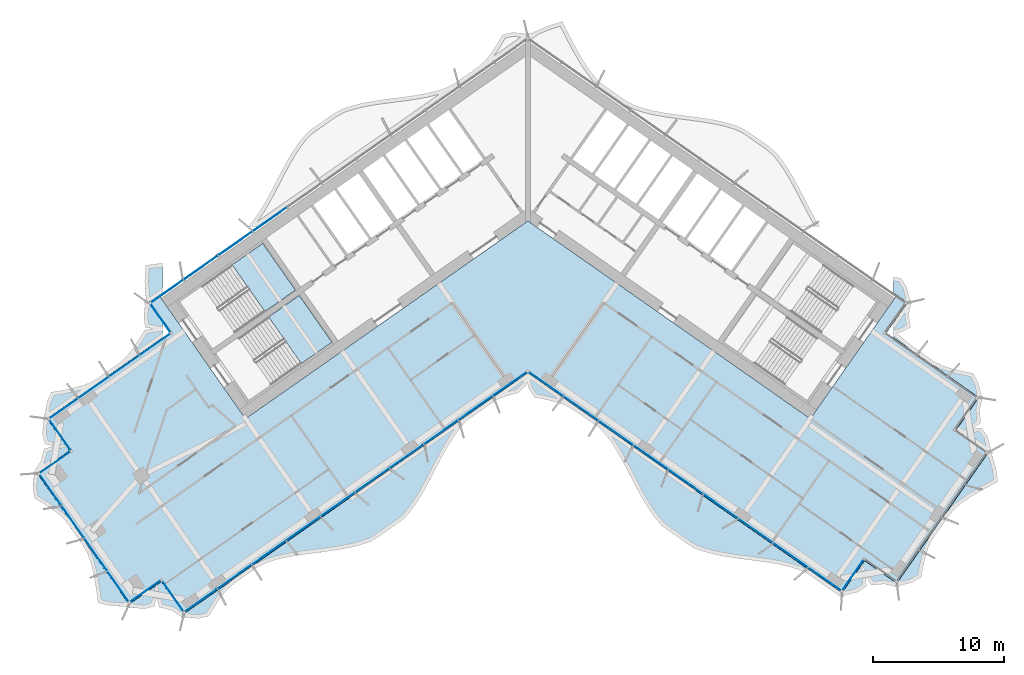
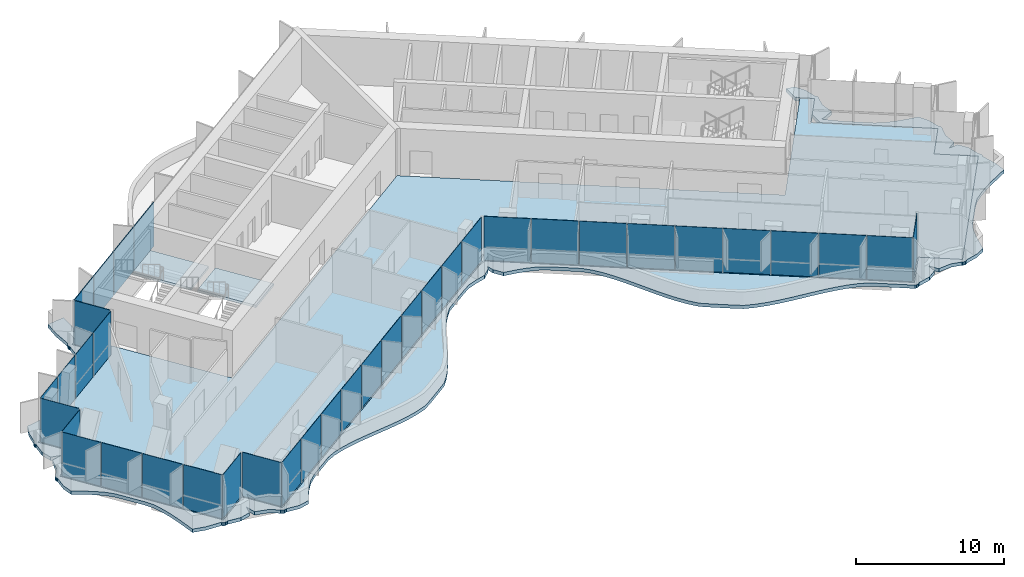
# One storey, part 12 of 23: 37 plates, 4 slabs, 4 elements without a shape of their own.
"""IFC4 building model written with IfcOpenShell, lengths in metres."""

from ifc_helpers import new_model, si_unit, direction, frame, origin, origin_2d, place, context, subcontext, project, spatial, polyline, rectangle, outline, extrude, material, layer, layer_set, type_object, element, aggregate, save


model = new_model("IFC4")

# Units and contexts
model_context = context("Model", 3, precision=1e-05, world=origin(), true_north=direction((0.0, 1.0)))
body_context = subcontext(model_context, "Body", "Model", "MODEL_VIEW")
ifc_project = project(units=[si_unit("LENGTHUNIT", "METRE"), si_unit("AREAUNIT", "SQUARE_METRE"), si_unit("VOLUMEUNIT", "CUBIC_METRE"), si_unit("PLANEANGLEUNIT", "RADIAN"), si_unit("MASSUNIT", "GRAM", prefix="KILO")], contexts=[model_context])

# Site, building, storey
site_placement = place(None, origin())
site = spatial("IfcSite", under=ifc_project, at=site_placement, CompositionType="ELEMENT")
building_placement = place(site_placement, origin())
building = spatial("IfcBuilding", under=site, at=building_placement, Name="Tel Ilan Convention Tower", CompositionType="ELEMENT")
storey_placement = place(building_placement, frame((0.0, 0.0, 198.300048828125)))
storey = spatial("IfcBuildingStorey", under=building, at=storey_placement, Name="L46", CompositionType="ELEMENT", Elevation=198.300048828125)

# Curtain wall, plates
ifc_material_1 = material(Name="Aluminium, bronze anodised", Category="aluminium")
curtain_wall_type_1 = type_object("IfcCurtainWallType", Name="CW4 STICK CURTAIN WALL, OFFICE TINTED GLASS", PredefinedType="NOTDEFINED", material=ifc_material_1)
curtain_wall_1_placement = place(storey_placement, origin())
curtain_wall_1 = element("IfcCurtainWall", 1, at=curtain_wall_1_placement, inside=storey, type_object=curtain_wall_type_1, Name="Curtain wall CW4-36.02", PredefinedType="NOTDEFINED")
ifc_material_2 = material(Name="Glass, bronze tinted, two-ply", Category="glass")
ifc_layer_1 = layer(ifc_material_2, 0.028076171875)
ifc_layer_set_1 = layer_set([ifc_layer_1], Name="CW GLASS PANEL 28")
plate_type_1 = type_object("IfcPlateType", Name="CW GLASS PANEL 28", PredefinedType="CURTAIN_PANEL", material=ifc_layer_set_1)
plate_1_placement = place(storey_placement, frame((-28.450927734375, -10.6435546875, 0.0), z_axis=(0.0, 0.0, 1.0), x_axis=(-0.819152044289, -0.573576436351, 0.0)))
plate_1 = element("IfcPlate", 2, at=plate_1_placement, type_object=plate_type_1, Name="Glass panel", PredefinedType="CURTAIN_PANEL", context=body_context, shape_type="SweptSolid", body=[
    extrude(rectangle(XDim=2.819091796875, YDim=0.028076171875, at=origin_2d()), origin(), (0.0, 0.0, 1.0), 3.6201171875),
])
plate_2_placement = place(storey_placement, frame((-30.79736328125, -12.28662109375, 0.0), z_axis=(0.0, 0.0, 1.0), x_axis=(-0.819152044289, -0.573576436351, 0.0)))
plate_2 = element("IfcPlate", 3, at=plate_2_placement, type_object=plate_type_1, Name="Glass panel", PredefinedType="CURTAIN_PANEL", context=body_context, shape_type="SweptSolid", body=[
    extrude(rectangle(XDim=2.7900390625, YDim=0.028076171875, at=origin_2d()), origin(), (0.0, 0.0, 1.0), 3.6201171875),
])
plate_3_placement = place(storey_placement, frame((-33.1318359375, -13.92138671875, 0.0), z_axis=(0.0, 0.0, 1.0), x_axis=(-0.819152044289, -0.573576436351, 0.0)))
plate_3 = element("IfcPlate", 4, at=plate_3_placement, type_object=plate_type_1, Name="Glass panel", PredefinedType="CURTAIN_PANEL", context=body_context, shape_type="SweptSolid", body=[
    extrude(rectangle(XDim=2.7900390625, YDim=0.028076171875, at=origin_2d()), origin(), (0.0, 0.0, 1.0), 3.6201171875),
])
plate_4_placement = place(storey_placement, frame((-35.427978515625, -15.529052734375, 0.0), z_axis=(0.0, 0.0, 1.0), x_axis=(-0.819152044289, -0.573576436351, 0.0)))
plate_4 = element("IfcPlate", 5, at=plate_4_placement, type_object=plate_type_1, Name="Glass panel", PredefinedType="CURTAIN_PANEL", context=body_context, shape_type="SweptSolid", body=[
    extrude(rectangle(XDim=2.696044921875, YDim=0.028076171875, at=origin_2d()), origin(), (0.0, 0.0, 1.0), 3.6201171875),
])
plate_5_placement = place(storey_placement, frame((-35.713623046875, -17.51318359375, 0.0), z_axis=(0.0, 0.0, 1.0), x_axis=(0.573576436351, -0.819152044289, 0.0)))
plate_5 = element("IfcPlate", 6, at=plate_5_placement, type_object=plate_type_1, Name="Glass panel", PredefinedType="CURTAIN_PANEL", context=body_context, shape_type="SweptSolid", body=[
    extrude(rectangle(XDim=2.875, YDim=0.028076171875, at=origin_2d()), origin(), (0.0, 0.0, 1.0), 3.6201171875),
])
plate_6_placement = place(storey_placement, frame((-36.09130859375, -19.656005859375, 0.0), z_axis=(0.0, 0.0, 1.0), x_axis=(-0.819152044289, -0.573576436351, 0.0)))
plate_6 = element("IfcPlate", 7, at=plate_6_placement, type_object=plate_type_1, Name="Glass panel", PredefinedType="CURTAIN_PANEL", context=body_context, shape_type="SweptSolid", body=[
    extrude(rectangle(XDim=2.875, YDim=0.028076171875, at=origin_2d()), origin(), (0.0, 0.0, 1.0), 3.6201171875),
])
plate_7_placement = place(storey_placement, frame((-36.4443359375, -21.699951171875, 0.0), z_axis=(0.0, 0.0, 1.0), x_axis=(0.573576436351, -0.819152044289, 0.0)))
plate_7 = element("IfcPlate", 8, at=plate_7_placement, type_object=plate_type_1, Name="Glass panel", PredefinedType="CURTAIN_PANEL", context=body_context, shape_type="SweptSolid", body=[
    extrude(rectangle(XDim=2.89599609375, YDim=0.028076171875, at=origin_2d()), origin(), (0.0, 0.0, 1.0), 3.6201171875),
])
plate_8_placement = place(storey_placement, frame((-34.721923828125, -24.159912109375, 0.0), z_axis=(0.0, 0.0, 1.0), x_axis=(0.573576436351, -0.819152044289, 0.0)))
plate_8 = element("IfcPlate", 9, at=plate_8_placement, type_object=plate_type_1, Name="Glass panel", PredefinedType="CURTAIN_PANEL", context=body_context, shape_type="SweptSolid", body=[
    extrude(rectangle(XDim=2.989990234375, YDim=0.028076171875, at=origin_2d()), origin(), (0.0, 0.0, 1.0), 3.6201171875),
])
plate_9_placement = place(storey_placement, frame((-32.972412109375, -26.658203125, 0.0), z_axis=(0.0, 0.0, 1.0), x_axis=(0.573576436351, -0.819152044289, 0.0)))
plate_9 = element("IfcPlate", 10, at=plate_9_placement, type_object=plate_type_1, Name="Glass panel", PredefinedType="CURTAIN_PANEL", context=body_context, shape_type="SweptSolid", body=[
    extrude(rectangle(XDim=2.989990234375, YDim=0.028076171875, at=origin_2d()), origin(), (0.0, 0.0, 1.0), 3.6201171875),
])
plate_10_placement = place(storey_placement, frame((-31.25, -29.1181640625, 0.0), z_axis=(0.0, 0.0, 1.0), x_axis=(0.573576436351, -0.819152044289, 0.0)))
plate_10 = element("IfcPlate", 11, at=plate_10_placement, type_object=plate_type_1, Name="Glass panel", PredefinedType="CURTAIN_PANEL", context=body_context, shape_type="SweptSolid", body=[
    extrude(rectangle(XDim=2.89599609375, YDim=0.028076171875, at=origin_2d()), origin(), (0.0, 0.0, 1.0), 3.6201171875),
])
plate_11_placement = place(storey_placement, frame((-29.20849609375, -29.48583984375, 0.0), z_axis=(0.0, 0.0, 1.0), x_axis=(0.819152044289, 0.573576436351, 0.0)))
plate_11 = element("IfcPlate", 12, at=plate_11_placement, type_object=plate_type_1, Name="Glass panel", PredefinedType="CURTAIN_PANEL", context=body_context, shape_type="SweptSolid", body=[
    extrude(rectangle(XDim=2.875, YDim=0.028076171875, at=origin_2d()), origin(), (0.0, 0.0, 1.0), 3.6201171875),
])
plate_12_placement = place(storey_placement, frame((-27.065673828125, -29.863525390625, 0.0), z_axis=(0.0, 0.0, 1.0), x_axis=(0.573576436351, -0.819152044289, 0.0)))
plate_12 = element("IfcPlate", 13, at=plate_12_placement, type_object=plate_type_1, Name="Glass panel", PredefinedType="CURTAIN_PANEL", context=body_context, shape_type="SweptSolid", body=[
    extrude(rectangle(XDim=2.875, YDim=0.028076171875, at=origin_2d()), origin(), (0.0, 0.0, 1.0), 3.6201171875),
])
plate_13_placement = place(storey_placement, frame((-24.958251953125, -30.172119140625, 0.0), z_axis=(0.0, 0.0, 1.0), x_axis=(0.819152044289, 0.573576436351, 0.0)))
plate_13 = element("IfcPlate", 14, at=plate_13_placement, type_object=plate_type_1, Name="Glass panel", PredefinedType="CURTAIN_PANEL", context=body_context, shape_type="SweptSolid", body=[
    extrude(rectangle(XDim=3.05078125, YDim=0.028076171875, at=origin_2d()), origin(), (0.0, 0.0, 1.0), 3.6201171875),
])
plate_14_placement = place(storey_placement, frame((-22.37158203125, -28.36083984375, 0.0), z_axis=(0.0, 0.0, 1.0), x_axis=(0.819152044289, 0.573576436351, 0.0)))
plate_14 = element("IfcPlate", 15, at=plate_14_placement, type_object=plate_type_1, Name="Glass panel", PredefinedType="CURTAIN_PANEL", context=body_context, shape_type="SweptSolid", body=[
    extrude(rectangle(XDim=3.144775390625, YDim=0.028076171875, at=origin_2d()), origin(), (0.0, 0.0, 1.0), 3.6201171875),
])
plate_15_placement = place(storey_placement, frame((-19.746337890625, -26.522705078125, 0.0), z_axis=(0.0, 0.0, 1.0), x_axis=(0.819152044289, 0.573576436351, 0.0)))
plate_15 = element("IfcPlate", 16, at=plate_15_placement, type_object=plate_type_1, Name="Glass panel", PredefinedType="CURTAIN_PANEL", context=body_context, shape_type="SweptSolid", body=[
    extrude(rectangle(XDim=3.144775390625, YDim=0.028076171875, at=origin_2d()), origin(), (0.0, 0.0, 1.0), 3.6201171875),
])
plate_16_placement = place(storey_placement, frame((-17.12109375, -24.684326171875, 0.0), z_axis=(0.0, 0.0, 1.0), x_axis=(0.819152044289, 0.573576436351, 0.0)))
plate_16 = element("IfcPlate", 17, at=plate_16_placement, type_object=plate_type_1, Name="Glass panel", PredefinedType="CURTAIN_PANEL", context=body_context, shape_type="SweptSolid", body=[
    extrude(rectangle(XDim=3.144775390625, YDim=0.028076171875, at=origin_2d()), origin(), (0.0, 0.0, 1.0), 3.6201171875),
])
plate_17_placement = place(storey_placement, frame((-14.49609375, -22.84619140625, 0.0), z_axis=(0.0, 0.0, 1.0), x_axis=(0.819152044289, 0.573576436351, 0.0)))
plate_17 = element("IfcPlate", 18, at=plate_17_placement, type_object=plate_type_1, Name="Glass panel", PredefinedType="CURTAIN_PANEL", context=body_context, shape_type="SweptSolid", body=[
    extrude(rectangle(XDim=3.144775390625, YDim=0.028076171875, at=origin_2d()), origin(), (0.0, 0.0, 1.0), 3.6201171875),
])
plate_18_placement = place(storey_placement, frame((-11.870849609375, -21.008056640625, 0.0), z_axis=(0.0, 0.0, 1.0), x_axis=(0.819152044289, 0.573576436351, 0.0)))
plate_18 = element("IfcPlate", 19, at=plate_18_placement, type_object=plate_type_1, Name="Glass panel", PredefinedType="CURTAIN_PANEL", context=body_context, shape_type="SweptSolid", body=[
    extrude(rectangle(XDim=3.144775390625, YDim=0.028076171875, at=origin_2d()), origin(), (0.0, 0.0, 1.0), 3.6201171875),
])
plate_19_placement = place(storey_placement, frame((-9.24560546875, -19.169921875, 0.0), z_axis=(0.0, 0.0, 1.0), x_axis=(0.819152044289, 0.573576436351, 0.0)))
plate_19 = element("IfcPlate", 20, at=plate_19_placement, type_object=plate_type_1, Name="Glass panel", PredefinedType="CURTAIN_PANEL", context=body_context, shape_type="SweptSolid", body=[
    extrude(rectangle(XDim=3.144775390625, YDim=0.028076171875, at=origin_2d()), origin(), (0.0, 0.0, 1.0), 3.6201171875),
])
plate_20_placement = place(storey_placement, frame((-6.620361328125, -17.331787109375, 0.0), z_axis=(0.0, 0.0, 1.0), x_axis=(0.819152044289, 0.573576436351, 0.0)))
plate_20 = element("IfcPlate", 21, at=plate_20_placement, type_object=plate_type_1, Name="Glass panel", PredefinedType="CURTAIN_PANEL", context=body_context, shape_type="SweptSolid", body=[
    extrude(rectangle(XDim=3.144775390625, YDim=0.028076171875, at=origin_2d()), origin(), (0.0, 0.0, 1.0), 3.6201171875),
])
plate_21_placement = place(storey_placement, frame((-3.9951171875, -15.493408203125, 0.0), z_axis=(0.0, 0.0, 1.0), x_axis=(0.819152044289, 0.573576436351, 0.0)))
plate_21 = element("IfcPlate", 22, at=plate_21_placement, type_object=plate_type_1, Name="Glass panel", PredefinedType="CURTAIN_PANEL", context=body_context, shape_type="SweptSolid", body=[
    extrude(rectangle(XDim=3.144775390625, YDim=0.028076171875, at=origin_2d()), origin(), (0.0, 0.0, 1.0), 3.6201171875),
])
plate_22_placement = place(storey_placement, frame((-1.370361328125, -13.655517578125, 0.0), z_axis=(0.0, 0.0, 1.0), x_axis=(0.819152044289, 0.573576436351, 0.0)))
plate_22 = element("IfcPlate", 23, at=plate_22_placement, type_object=plate_type_1, Name="Glass panel", PredefinedType="CURTAIN_PANEL", context=body_context, shape_type="SweptSolid", body=[
    extrude(rectangle(XDim=3.143798828125, YDim=0.028076171875, at=origin_2d()), origin(), (0.0, 0.0, 1.0), 3.6201171875),
])
plate_23_placement = place(storey_placement, frame((1.400390625, -13.676513671875, 0.0), z_axis=(0.0, 0.0, 1.0), x_axis=(0.819152044289, -0.573576436351, 0.0)))
plate_23 = element("IfcPlate", 24, at=plate_23_placement, type_object=plate_type_1, Name="Glass panel", PredefinedType="CURTAIN_PANEL", context=body_context, shape_type="SweptSolid", body=[
    extrude(rectangle(XDim=3.16064453125, YDim=0.028076171875, at=origin_2d()), origin(), (0.0, 0.0, 1.0), 3.6201171875),
])
plate_24_placement = place(storey_placement, frame((4.050537109375, -15.5322265625, 0.0), z_axis=(0.0, 0.0, 1.0), x_axis=(0.819152044289, -0.573576436351, 0.0)))
plate_24 = element("IfcPlate", 25, at=plate_24_placement, type_object=plate_type_1, Name="Glass panel", PredefinedType="CURTAIN_PANEL", context=body_context, shape_type="SweptSolid", body=[
    extrude(rectangle(XDim=3.189697265625, YDim=0.028076171875, at=origin_2d()), origin(), (0.0, 0.0, 1.0), 3.6201171875),
])
plate_25_placement = place(storey_placement, frame((6.71240234375, -17.396240234375, 0.0), z_axis=(0.0, 0.0, 1.0), x_axis=(0.819152044289, -0.573576436351, 0.0)))
plate_25 = element("IfcPlate", 26, at=plate_25_placement, type_object=plate_type_1, Name="Glass panel", PredefinedType="CURTAIN_PANEL", context=body_context, shape_type="SweptSolid", body=[
    extrude(rectangle(XDim=3.189697265625, YDim=0.028076171875, at=origin_2d()), origin(), (0.0, 0.0, 1.0), 3.6201171875),
])
plate_26_placement = place(storey_placement, frame((9.37451171875, -19.26025390625, 0.0), z_axis=(0.0, 0.0, 1.0), x_axis=(0.819152044289, -0.573576436351, 0.0)))
plate_26 = element("IfcPlate", 27, at=plate_26_placement, type_object=plate_type_1, Name="Glass panel", PredefinedType="CURTAIN_PANEL", context=body_context, shape_type="SweptSolid", body=[
    extrude(rectangle(XDim=3.189697265625, YDim=0.028076171875, at=origin_2d()), origin(), (0.0, 0.0, 1.0), 3.6201171875),
])
plate_27_placement = place(storey_placement, frame((12.03662109375, -21.124267578125, 0.0), z_axis=(0.0, 0.0, 1.0), x_axis=(0.819152044289, -0.573576436351, 0.0)))
plate_27 = element("IfcPlate", 28, at=plate_27_placement, type_object=plate_type_1, Name="Glass panel", PredefinedType="CURTAIN_PANEL", context=body_context, shape_type="SweptSolid", body=[
    extrude(rectangle(XDim=3.189697265625, YDim=0.028076171875, at=origin_2d()), origin(), (0.0, 0.0, 1.0), 3.6201171875),
])
plate_28_placement = place(storey_placement, frame((14.69873046875, -22.988037109375, 0.0), z_axis=(0.0, 0.0, 1.0), x_axis=(0.819152044289, -0.573576436351, 0.0)))
plate_28 = element("IfcPlate", 29, at=plate_28_placement, type_object=plate_type_1, Name="Glass panel", PredefinedType="CURTAIN_PANEL", context=body_context, shape_type="SweptSolid", body=[
    extrude(rectangle(XDim=3.189697265625, YDim=0.028076171875, at=origin_2d()), origin(), (0.0, 0.0, 1.0), 3.6201171875),
])
plate_29_placement = place(storey_placement, frame((17.360595703125, -24.85205078125, 0.0), z_axis=(0.0, 0.0, 1.0), x_axis=(0.819152044289, -0.573576436351, 0.0)))
plate_29 = element("IfcPlate", 30, at=plate_29_placement, type_object=plate_type_1, Name="Glass panel", PredefinedType="CURTAIN_PANEL", context=body_context, shape_type="SweptSolid", body=[
    extrude(rectangle(XDim=3.189697265625, YDim=0.028076171875, at=origin_2d()), origin(), (0.0, 0.0, 1.0), 3.6201171875),
])
plate_30_placement = place(storey_placement, frame((20.022705078125, -26.716064453125, 0.0), z_axis=(0.0, 0.0, 1.0), x_axis=(0.819152044289, -0.573576436351, 0.0)))
plate_30 = element("IfcPlate", 31, at=plate_30_placement, type_object=plate_type_1, Name="Glass panel", PredefinedType="CURTAIN_PANEL", context=body_context, shape_type="SweptSolid", body=[
    extrude(rectangle(XDim=3.189697265625, YDim=0.028076171875, at=origin_2d()), origin(), (0.0, 0.0, 1.0), 3.6201171875),
])
plate_31_placement = place(storey_placement, frame((22.646240234375, -28.55322265625, 0.0), z_axis=(0.0, 0.0, 1.0), x_axis=(0.819152044289, -0.573576436351, 0.0)))
plate_31 = element("IfcPlate", 32, at=plate_31_placement, type_object=plate_type_1, Name="Glass panel", PredefinedType="CURTAIN_PANEL", context=body_context, shape_type="SweptSolid", body=[
    extrude(rectangle(XDim=3.095703125, YDim=0.028076171875, at=origin_2d()), origin(), (0.0, 0.0, 1.0), 3.6201171875),
])
plate_32_placement = place(storey_placement, frame((24.772216796875, -28.257568359375, 0.0), z_axis=(0.0, 0.0, 1.0), x_axis=(0.573576436351, 0.819152044289, 0.0)))
plate_32 = element("IfcPlate", 33, at=plate_32_placement, type_object=plate_type_1, Name="Glass panel", PredefinedType="CURTAIN_PANEL", context=body_context, shape_type="SweptSolid", body=[
    extrude(rectangle(XDim=2.875, YDim=0.028076171875, at=origin_2d()), origin(), (0.0, 0.0, 1.0), 3.6201171875),
])
aggregate(curtain_wall_1, [plate_1, plate_2, plate_3, plate_4, plate_5, plate_6, plate_7, plate_8, plate_9, plate_10, plate_11, plate_12, plate_13, plate_14, plate_15, plate_16, plate_17, plate_18, plate_19, plate_20, plate_21, plate_22, plate_23, plate_24, plate_25, plate_26, plate_27, plate_28, plate_29, plate_30, plate_31, plate_32])

ifc_material_3 = material(Name="Aluminium, bronze anodised", Category="aluminium")
curtain_wall_type_2 = type_object("IfcCurtainWallType", Name="CW2 STICK CURTAIN WALL, SPANDREL PANELS", PredefinedType="NOTDEFINED", material=ifc_material_3)
curtain_wall_2_placement = place(storey_placement, origin())
curtain_wall_2 = element("IfcCurtainWall", 34, at=curtain_wall_2_placement, inside=storey, type_object=curtain_wall_type_2, Name="Curtain wall CW2-36.01", PredefinedType="NOTDEFINED")
ifc_material_4 = material(Name="Aluminium composite panel, bronze anodised", Category="aluminium")
ifc_layer_2 = layer(ifc_material_4, 0.06005859375)
ifc_layer_set_2 = layer_set([ifc_layer_2], Name="CW SPANDREL PANEL 60")
plate_type_2 = type_object("IfcPlateType", Name="CW SPANDREL PANEL 60", PredefinedType="CURTAIN_PANEL", material=ifc_layer_set_2)
plate_33_placement = place(storey_placement, frame((-19.687255859375, -1.089111328125, 0.0), z_axis=(0.0, 0.0, 1.0), x_axis=(-0.819152044289, -0.573576436351, 0.0)))
plate_33 = element("IfcPlate", 35, at=plate_33_placement, type_object=plate_type_2, Name="Spandrel panel", PredefinedType="CURTAIN_PANEL", context=body_context, shape_type="SweptSolid", body=[
    extrude(rectangle(XDim=3.15380859375, YDim=0.06005859375, at=origin_2d()), origin(), (0.0, 0.0, 1.0), 3.6201171875),
])
plate_34_placement = place(storey_placement, frame((-22.31982421875, -2.9326171875, 0.0), z_axis=(0.0, 0.0, 1.0), x_axis=(-0.819152044289, -0.573576436351, 0.0)))
plate_34 = element("IfcPlate", 36, at=plate_34_placement, type_object=plate_type_2, Name="Spandrel panel", PredefinedType="CURTAIN_PANEL", context=body_context, shape_type="SweptSolid", body=[
    extrude(rectangle(XDim=3.15380859375, YDim=0.06005859375, at=origin_2d()), origin(), (0.0, 0.0, 1.0), 3.6201171875),
])
plate_35_placement = place(storey_placement, frame((-24.95263671875, -4.77587890625, 0.0), z_axis=(0.0, 0.0, 1.0), x_axis=(-0.819152044289, -0.573576436351, 0.0)))
plate_35 = element("IfcPlate", 37, at=plate_35_placement, type_object=plate_type_2, Name="Spandrel panel", PredefinedType="CURTAIN_PANEL", context=body_context, shape_type="SweptSolid", body=[
    extrude(rectangle(XDim=3.15380859375, YDim=0.06005859375, at=origin_2d()), origin(), (0.0, 0.0, 1.0), 3.6201171875),
])
plate_36_placement = place(storey_placement, frame((-27.5400390625, -6.587646484375, 0.0), z_axis=(0.0, 0.0, 1.0), x_axis=(-0.819152044289, -0.573576436351, 0.0)))
plate_36 = element("IfcPlate", 38, at=plate_36_placement, type_object=plate_type_2, Name="Spandrel panel", PredefinedType="CURTAIN_PANEL", context=body_context, shape_type="SweptSolid", body=[
    extrude(rectangle(XDim=3.0439453125, YDim=0.06005859375, at=origin_2d()), origin(), (0.0, 0.0, 1.0), 3.6201171875),
])
plate_37_placement = place(storey_placement, frame((-28.033935546875, -8.60546875, 0.0), z_axis=(0.0, 0.0, 1.0), x_axis=(0.573576436351, -0.819152044289, 0.0)))
plate_37 = element("IfcPlate", 39, at=plate_37_placement, type_object=plate_type_2, Name="Spandrel panel", PredefinedType="CURTAIN_PANEL", context=body_context, shape_type="SweptSolid", body=[
    extrude(rectangle(XDim=2.658935546875, YDim=0.06005859375, at=origin_2d()), origin(), (0.0, 0.0, 1.0), 3.6201171875),
])
aggregate(curtain_wall_2, [plate_33, plate_34, plate_35, plate_36, plate_37])

# Stair, slab
ifc_material_5 = material(Name="Concrete C40/50", Category="concrete")
stair_type = type_object("IfcStairType", Name="Pressurised Exit Stair 22 risers 177 mm", PredefinedType="HALF_TURN_STAIR", material=ifc_material_5)
stair_1_placement = place(storey_placement, origin())
stair_1 = element("IfcStair", 40, at=stair_1_placement, inside=storey, type_object=stair_type, Name="L46 Pressurised Stair S1", PredefinedType="HALF_TURN_STAIR")
ifc_material_6 = material(Name="Concrete C40/50", Category="concrete")
ifc_layer_3 = layer(ifc_material_6, 0.199951171875)
ifc_layer_set_3 = layer_set([ifc_layer_3], Name="Concrete Stair Landing 200 mm C40/50")
slab_type_1 = type_object("IfcSlabType", Name="Concrete Stair Landing 200 mm", PredefinedType="LANDING", material=ifc_layer_set_3)
slab_1_placement = place(storey_placement, frame((0.0, 0.0, 1.75)))
slab_1 = element("IfcSlab", 41, at=slab_1_placement, type_object=slab_type_1, Name="S1 landing 1", PredefinedType="LANDING", context=body_context, shape_type="SweptSolid", body=[
    extrude(outline(polyline([(-20.066650390625, -8.130126953125), (-17.7314453125, -6.494873046875), (-20.226318359375, -2.931640625), (-22.561767578125, -4.566650390625), (-20.066650390625, -8.130126953125)])), origin(), (0.0, 0.0, 1.0), 0.199951171875),
])
aggregate(stair_1, [slab_1])

stair_2_placement = place(storey_placement, origin())
stair_2 = element("IfcStair", 42, at=stair_2_placement, inside=storey, type_object=stair_type, Name="L46 Pressurised Stair S2", PredefinedType="HALF_TURN_STAIR")
slab_2_placement = place(storey_placement, frame((0.0, 0.0, 1.75)))
slab_2 = element("IfcSlab", 43, at=slab_2_placement, type_object=slab_type_1, Name="S2 landing 1", PredefinedType="LANDING", context=body_context, shape_type="SweptSolid", body=[
    extrude(outline(polyline([(-17.28466796875, -12.10302734375), (-14.949462890625, -10.4677734375), (-17.444580078125, -6.904541015625), (-19.77978515625, -8.53955078125), (-17.28466796875, -12.10302734375)])), origin(), (0.0, 0.0, 1.0), 0.199951171875),
])
aggregate(stair_2, [slab_2])

# Slabs
ifc_material_7 = material(Name="Concrete C40/50", Category="concrete")
ifc_layer_4 = layer(ifc_material_7, 0.280029296875)
ifc_layer_set_4 = layer_set([ifc_layer_4], Name="Edge Ledge Slab 280 mm C40/50")
slab_type_2 = type_object("IfcSlabType", Name="Edge Ledge Slab 280 mm C40/50", PredefinedType="FLOOR", material=ifc_layer_set_4)
slab_3_placement = place(storey_placement, frame((0.0, 0.0, -0.280029296875)))
element("IfcSlab", 44, at=slab_3_placement, inside=storey, type_object=slab_type_2, Name="L46 edge ledge 1", PredefinedType="FLOOR", context=body_context, shape_type="SweptSolid", body=[
    extrude(outline(polyline([(-29.29443359375, -8.548583984375), (-29.20458984375, -7.631103515625), (-29.199951171875, -7.6279296875), (-29.236083984375, -7.57373046875), (-29.2587890625, -7.458984375), (-29.236083984375, -7.34423828125), (-29.1708984375, -7.246826171875), (-29.127685546875, -7.218017578125), (-29.130859375, -7.21337890625), (-29.231689453125, -5.78515625), (-29.161865234375, -4.60107421875), (-28.33935546875, -4.49169921875), (-27.875, -4.4326171875), (-27.875, -6.7001953125), (-28.7177734375, -7.290283203125), (-28.958740234375, -7.458984375), (-27.875, -9.007080078125), (-27.875, -10.1181640625), (-36.449951171875, -16.12255859375), (-36.691162109375, -16.29150390625), (-34.970458984375, -18.748779296875), (-35.99462890625, -19.466064453125), (-37.186767578125, -20.30078125), (-37.427978515625, -20.469482421875), (-30.43017578125, -30.46337890625), (-27.972900390625, -28.74267578125), (-26.251953125, -31.199951171875), (-13.61181640625, -22.34912109375), (-2.66162109375, -14.681884765625), (-0.2412109375, -12.98681640625), (0.0, -12.818115234375), (0.2412109375, -12.98681640625), (1.221435546875, -13.67333984375), (12.8291015625, -21.801025390625), (23.95849609375, -29.593994140625), (25.67919921875, -27.136474609375), (28.13671875, -28.857421875), (35.13427734375, -18.863525390625), (34.89306640625, -18.69482421875), (34.76220703125, -18.603271484375), (33.905517578125, -18.003173828125), (32.6767578125, -17.142822265625), (34.3974609375, -14.685302734375), (27.875, -10.1181640625), (27.875, -9.007080078125), (28.7900390625, -7.7001953125), (28.958740234375, -7.458984375), (27.875, -6.7001953125), (27.875, -5.485595703125), (28.465576171875, -5.595458984375), (28.894287109375, -6.267333984375), (29.130859375, -7.21337890625), (29.127685546875, -7.218017578125), (29.1708984375, -7.246826171875), (29.236083984375, -7.34423828125), (29.2587890625, -7.458984375), (29.236083984375, -7.57373046875), (29.199951171875, -7.6279296875), (29.20458984375, -7.631103515625), (29.044921875, -8.373779296875), (29.194091796875, -9.332763671875), (28.4912109375, -9.6953125), (28.123291015625, -9.789794921875), (28.18212890625, -9.817626953125), (28.730712890625, -10.28369140625), (29.285888671875, -10.739990234375), (31.047119140625, -11.973388671875), (31.703369140625, -12.285888671875), (32.42138671875, -12.509521484375), (33.172119140625, -12.68701171875), (33.945068359375, -12.832763671875), (34.3369140625, -13.5224609375), (34.569580078125, -14.439697265625), (34.56640625, -14.4443359375), (34.609619140625, -14.473388671875), (34.6748046875, -14.570556640625), (34.697509765625, -14.685302734375), (34.6748046875, -14.80029296875), (34.638671875, -14.854248046875), (34.643310546875, -14.857421875), (34.455322265625, -15.6416015625), (34.5458984375, -16.62060546875), (33.9111328125, -17.059326171875), (34.61181640625, -16.994384765625), (35.066650390625, -17.652587890625), (35.306396484375, -18.617919921875), (35.302978515625, -18.62255859375), (35.346435546875, -18.651611328125), (35.411376953125, -18.748779296875), (35.43408203125, -18.863525390625), (35.411376953125, -18.978515625), (35.375244140625, -19.032470703125), (35.3798828125, -19.03564453125), (35.716796875, -20.147705078125), (35.840576171875, -21.1103515625), (35.13037109375, -21.489013671875), (34.43017578125, -21.875), (33.759033203125, -22.281005859375), (33.1279296875, -22.71533203125), (32.546142578125, -23.18408203125), (32.0869140625, -23.738525390625), (30.85205078125, -25.502197265625), (30.537841796875, -26.158203125), (30.313720703125, -26.877197265625), (30.135498046875, -27.628662109375), (29.989990234375, -28.40283203125), (29.301025390625, -28.79638671875), (28.38232421875, -29.029296875), (28.377685546875, -29.026123046875), (28.3486328125, -29.0693359375), (28.25146484375, -29.134521484375), (28.13671875, -29.1572265625), (28.021728515625, -29.134521484375), (27.9677734375, -29.098388671875), (27.964599609375, -29.10302734375), (27.1806640625, -28.9150390625), (26.201416015625, -29.005615234375), (25.7626953125, -28.370849609375), (25.827392578125, -29.071533203125), (25.169677734375, -29.526611328125), (24.2041015625, -29.76611328125), (24.199462890625, -29.7626953125), (24.17041015625, -29.80615234375), (24.0732421875, -29.87109375), (23.95849609375, -29.89404296875), (23.843505859375, -29.87109375), (23.78955078125, -29.835205078125), (23.786376953125, -29.839599609375), (21.3291015625, -28.119140625), (20.632080078125, -27.80712890625), (19.875244140625, -27.580322265625), (19.084228515625, -27.402587890625), (18.26708984375, -27.26220703125), (17.432861328125, -27.14599609375), (16.591796875, -27.03955078125), (15.75439453125, -26.92822265625), (14.930419921875, -26.79736328125), (14.1298828125, -26.63330078125), (13.361083984375, -26.423583984375), (12.631103515625, -26.15869140625), (12.007080078125, -25.742431640625), (10.778564453125, -24.882080078125), (10.174072265625, -24.437744140625), (9.675537109375, -23.84228515625), (9.2158203125, -23.191162109375), (8.7880859375, -22.494873046875), (8.38330078125, -21.765380859375), (7.9921875, -21.016357421875), (7.6044921875, -20.262451171875), (7.2099609375, -19.5185546875), (6.798583984375, -18.798583984375), (6.36083984375, -18.1162109375), (5.888916015625, -17.48291015625), (5.356689453125, -16.935302734375), (3.513916015625, -15.644775390625), (2.855712890625, -15.277099609375), (2.112060546875, -15.03173828125), (1.331787109375, -14.8388671875), (0.522216796875, -14.687255859375), (0.0673828125, -14.029296875), (-0.0556640625, -13.532958984375), (-0.200439453125, -13.831298828125), (-0.755615234375, -14.337890625), (-1.5224609375, -14.5419921875), (-2.251708984375, -14.800048828125), (-2.880615234375, -15.201416015625), (-4.7119140625, -16.48388671875), (-5.212890625, -17.067626953125), (-5.67431640625, -17.708251953125), (-6.103271484375, -18.39501953125), (-6.508056640625, -19.1162109375), (-6.898193359375, -19.858642578125), (-7.283203125, -20.608154296875), (-7.673583984375, -21.35009765625), (-8.0791015625, -22.0703125), (-8.509033203125, -22.755615234375), (-8.9716796875, -23.39404296875), (-9.4775390625, -23.97119140625), (-11.30908203125, -25.253662109375), (-11.941650390625, -25.649658203125), (-12.672119140625, -25.90576171875), (-13.4404296875, -26.10791015625), (-14.239013671875, -26.266845703125), (-15.059814453125, -26.394287109375), (-15.892822265625, -26.503662109375), (-16.728515625, -26.609619140625), (-17.556396484375, -26.726806640625), (-18.36669921875, -26.86865234375), (-19.150634765625, -27.048583984375), (-19.900146484375, -27.277587890625), (-20.58544921875, -27.598388671875), (-22.4169921875, -28.880859375), (-22.980224609375, -29.375732421875), (-23.4609375, -29.98828125), (-23.90576171875, -30.652587890625), (-24.322021484375, -31.357421875), (-25.097412109375, -31.54931640625), (-26.080078125, -31.44580078125), (-26.083251953125, -31.441162109375), (-26.13720703125, -31.477294921875), (-26.251953125, -31.5), (-26.36669921875, -31.477294921875), (-26.464111328125, -31.412109375), (-26.4931640625, -31.368896484375), (-26.497802734375, -31.3720703125), (-27.170166015625, -30.92724609375), (-28.12109375, -30.677490234375), (-28.31640625, -29.930908203125), (-28.4951171875, -30.61181640625), (-29.26904296875, -30.814208984375), (-30.25830078125, -30.708984375), (-30.261474609375, -30.704345703125), (-30.3154296875, -30.740478515625), (-30.43017578125, -30.76318359375), (-30.544921875, -30.740478515625), (-30.642333984375, -30.67529296875), (-30.67138671875, -30.632080078125), (-30.676025390625, -30.635498046875), (-31.836181640625, -30.57177734375), (-32.782958984375, -30.358642578125), (-32.89599609375, -29.5615234375), (-33.01904296875, -28.771728515625), (-33.17138671875, -28.002197265625), (-33.363525390625, -27.2607421875), (-33.60498046875, -26.5537109375), (-33.968994140625, -25.9326171875), (-35.203857421875, -24.1689453125), (-35.712890625, -23.649169921875), (-36.311767578125, -23.1923828125), (-36.95703125, -22.768310546875), (-37.634765625, -22.36669921875), (-37.76904296875, -21.584716796875), (-37.673583984375, -20.6416015625), (-37.6689453125, -20.638427734375), (-37.705078125, -20.58447265625), (-37.727783203125, -20.469482421875), (-37.705078125, -20.354736328125), (-37.639892578125, -20.257568359375), (-37.5966796875, -20.228515625), (-37.599853515625, -20.223876953125), (-37.1552734375, -19.551513671875), (-36.905517578125, -18.6005859375), (-36.15869140625, -18.4052734375), (-36.839599609375, -18.2265625), (-37.0419921875, -17.45263671875), (-36.93701171875, -16.46337890625), (-36.93212890625, -16.460205078125), (-36.96826171875, -16.40625), (-36.9912109375, -16.29150390625), (-36.96826171875, -16.176513671875), (-36.9033203125, -16.079345703125), (-36.85986328125, -16.05029296875), (-36.86328125, -16.045654296875), (-36.686767578125, -15.055419921875), (-36.35986328125, -14.280029296875), (-35.58203125, -14.148681640625), (-34.8203125, -13.994384765625), (-34.086669921875, -13.7998046875), (-33.387451171875, -13.55615234375), (-32.777587890625, -13.18505859375), (-31.026611328125, -11.958984375), (-30.515380859375, -11.447021484375), (-30.06298828125, -10.850830078125), (-29.642578125, -10.208984375), (-29.2431640625, -9.537353515625), (-28.64111328125, -9.44189453125), (-29.194091796875, -9.332763671875), (-29.29443359375, -8.548583984375)])), origin(), (0.0, 0.0, 1.0), 0.280029296875),
])
ifc_material_8 = material(Name="Concrete C40/50", Category="concrete")
ifc_layer_5 = layer(ifc_material_8, 0.280029296875)
ifc_layer_set_5 = layer_set([ifc_layer_5], Name="Flat Plate Floor Slab 280 mm C40/50")
slab_type_3 = type_object("IfcSlabType", Name="Flat Plate Floor Slab 280 mm C40/50", PredefinedType="FLOOR", material=ifc_layer_set_5)
slab_4_placement = place(storey_placement, frame((0.0, 0.0, -0.280029296875)))
element("IfcSlab", 45, at=slab_4_placement, inside=storey, type_object=slab_type_3, Name="L46 floor slab", PredefinedType="FLOOR", context=body_context, shape_type="SweptSolid", body=[
    extrude(outline(polyline([(-21.54345703125, -16.3056640625), (0.0, -1.220703125), (21.54345703125, -16.3056640625), (28.1396484375, -6.885498046875), (28.958740234375, -7.458984375), (27.352783203125, -9.752685546875), (34.3974609375, -14.685302734375), (32.6767578125, -17.142822265625), (35.13427734375, -18.863525390625), (28.13671875, -28.857421875), (25.67919921875, -27.136474609375), (23.95849609375, -29.593994140625), (0.0, -12.818115234375), (-26.251953125, -31.199951171875), (-27.972900390625, -28.74267578125), (-30.43017578125, -30.46337890625), (-37.427978515625, -20.469482421875), (-34.970458984375, -18.748779296875), (-36.691162109375, -16.29150390625), (-27.352783203125, -9.752685546875), (-28.958740234375, -7.458984375), (-28.1396484375, -6.885498046875), (-21.54345703125, -16.3056640625)])), origin(), (0.0, 0.0, 1.0), 0.280029296875),
])

save(model, "model.ifc")
